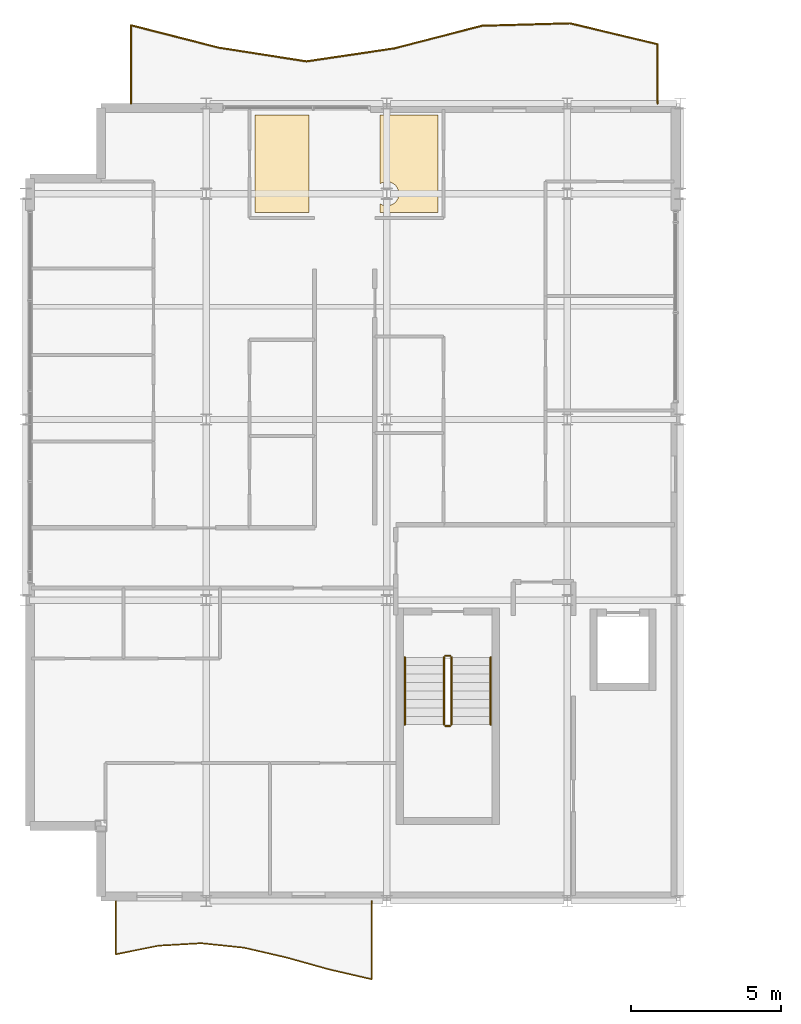
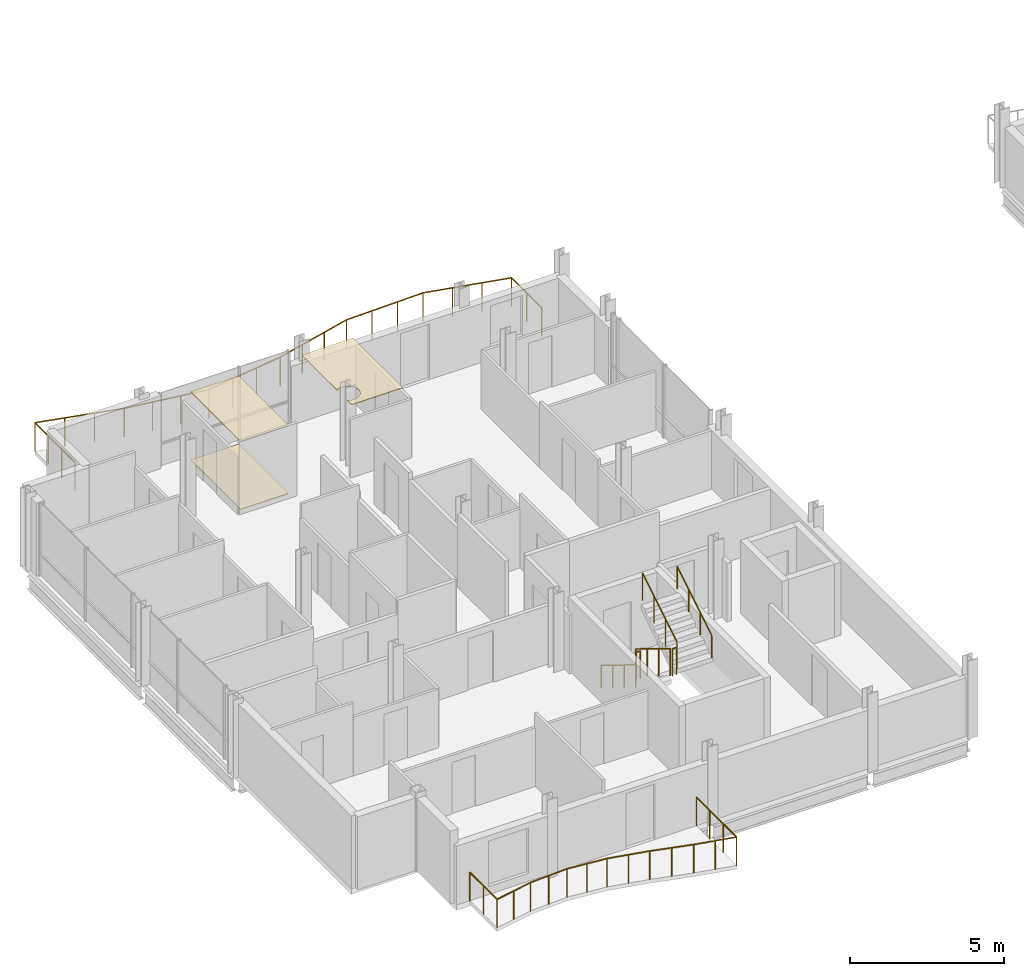
# One storey, part 28 of 29: 8 railings, 3 coverings.
"""IFC4 building model written with IfcOpenShell, lengths in metres."""

from ifc_helpers import new_model, si_unit, direction, frame, origin, origin_2d, place, context, subcontext, project, spatial, polyline, circle, outline, extrude, material, layer, layer_set, type_object, element, save


model = new_model("IFC4")

# Units and contexts
model_context = context("Model", 3, precision=1e-05, world=origin(), true_north=direction((0.0, 1.0)))
body_context = subcontext(model_context, "Body", "Model", "MODEL_VIEW")
ifc_project = project(units=[si_unit("LENGTHUNIT", "METRE"), si_unit("AREAUNIT", "SQUARE_METRE"), si_unit("VOLUMEUNIT", "CUBIC_METRE"), si_unit("PLANEANGLEUNIT", "RADIAN"), si_unit("MASSUNIT", "GRAM", prefix="KILO")], contexts=[model_context])

# Site, building, storey
site_placement = place(None, origin())
site = spatial("IfcSite", under=ifc_project, at=site_placement, CompositionType="ELEMENT")
building_placement = place(site_placement, origin())
building = spatial("IfcBuilding", under=site, at=building_placement, Name="Brevholm Reach", CompositionType="ELEMENT")
storey_placement = place(building_placement, frame((0.0, 0.0, 208.0)))
storey = spatial("IfcBuildingStorey", under=building, at=storey_placement, Name="L63", CompositionType="ELEMENT", Elevation=208.0)

# Coverings
ifc_material_1 = material(Name="Moisture-Resistant Skimmed Gypsum Plasterboard Ceiling", Category="gypsum")
ifc_layer_1 = layer(ifc_material_1, 0.030029296875)
ifc_layer_set_1 = layer_set([ifc_layer_1], Name="Moisture-Resistant Skimmed Gypsum Plasterboard Ceiling")
covering_type_1 = type_object("IfcCoveringType", Name="COV-CLG-GYP", PredefinedType="CEILING", material=ifc_layer_set_1)
covering_1_placement = place(storey_placement, frame((0.0, 0.0, 2.68994140625)))
element("IfcCovering", 1, at=covering_1_placement, inside=storey, type_object=covering_type_1, Name="L63 Suspended Ceiling L63-30", PredefinedType="CEILING", context=body_context, shape_type="SweptSolid", body=[
    extrude(outline(polyline([(7.617919921875, 26.1201171875), (9.419921875, 26.1201171875), (9.419921875, 22.8798828125), (7.617919921875, 22.8798828125), (7.617919921875, 26.1201171875)])), origin(), (0.0, 0.0, 1.0), 0.030029296875),
])
covering_2_placement = place(storey_placement, frame((0.0, 0.0, 2.68994140625)))
element("IfcCovering", 2, at=covering_2_placement, inside=storey, type_object=covering_type_1, Name="L63 Suspended Ceiling L63-38", PredefinedType="CEILING", context=body_context, shape_type="SweptSolid", body=[
    extrude(outline(polyline([(11.780029296875, 23.166015625), (11.811279296875, 23.147216796875), (11.846923828125, 23.13037109375), (11.8837890625, 23.1171875), (11.922119140625, 23.107666015625), (11.960693359375, 23.101806640625), (12.0, 23.10009765625), (12.039306640625, 23.101806640625), (12.077880859375, 23.107666015625), (12.1162109375, 23.1171875), (12.153076171875, 23.13037109375), (12.188720703125, 23.147216796875), (12.22216796875, 23.16748046875), (12.25390625, 23.19091796875), (12.28271484375, 23.21728515625), (12.30908203125, 23.24609375), (12.33251953125, 23.27783203125), (12.352783203125, 23.311279296875), (12.36962890625, 23.346923828125), (12.3828125, 23.3837890625), (12.392333984375, 23.422119140625), (12.398193359375, 23.460693359375), (12.39990234375, 23.5), (12.398193359375, 23.539306640625), (12.392333984375, 23.577880859375), (12.3828125, 23.6162109375), (12.36962890625, 23.653076171875), (12.352783203125, 23.688720703125), (12.33251953125, 23.72216796875), (12.30908203125, 23.75390625), (12.28271484375, 23.78271484375), (12.25390625, 23.80908203125), (12.22216796875, 23.83251953125), (12.188720703125, 23.852783203125), (12.153076171875, 23.86962890625), (12.1162109375, 23.8828125), (12.077880859375, 23.892333984375), (12.039306640625, 23.898193359375), (12.0, 23.89990234375), (11.960693359375, 23.898193359375), (11.922119140625, 23.892333984375), (11.8837890625, 23.8828125), (11.846923828125, 23.86962890625), (11.811279296875, 23.852783203125), (11.780029296875, 23.833984375), (11.780029296875, 26.1201171875), (11.876220703125, 26.1201171875), (11.8837890625, 26.1171875), (11.922119140625, 26.107666015625), (11.960693359375, 26.101806640625), (12.0, 26.10009765625), (12.039306640625, 26.101806640625), (12.077880859375, 26.107666015625), (12.1162109375, 26.1171875), (12.123779296875, 26.1201171875), (13.708984375, 26.1201171875), (13.708984375, 22.8798828125), (11.780029296875, 22.8798828125), (11.780029296875, 23.166015625)])), origin(), (0.0, 0.0, 1.0), 0.030029296875),
])
ifc_material_2 = material(Name="Engineered European Oak Acoustic Plank Flooring", Category="timber")
ifc_layer_2 = layer(ifc_material_2, 0.02197265625)
ifc_layer_set_2 = layer_set([ifc_layer_2], Name="Engineered European Oak Acoustic Plank Flooring")
covering_type_2 = type_object("IfcCoveringType", Name="COV-FLR-OAK", PredefinedType="FLOORING", material=ifc_layer_set_2)
covering_3_placement = place(storey_placement, origin())
element("IfcCovering", 3, at=covering_3_placement, inside=storey, type_object=covering_type_2, Name="L63 Floor Finish L63-30", PredefinedType="FLOORING", context=body_context, shape_type="SweptSolid", body=[
    extrude(outline(polyline([(7.617919921875, 26.1201171875), (9.419921875, 26.1201171875), (9.419921875, 22.8798828125), (7.617919921875, 22.8798828125), (7.617919921875, 26.1201171875)])), origin(), (0.0, 0.0, 1.0), 0.02197265625),
])

# Railings
ifc_material_3 = material(Name="Brushed Stainless Steel EN 1.4401 and Laminated Glass", Category="steel")
railing_type_1 = type_object("IfcRailingType", Name="RAL-BALC-1150", PredefinedType="BALUSTRADE", material=ifc_material_3)
railing_1_placement = place(storey_placement, frame((21.0, 26.5, 0.0)))
element("IfcRailing", 4, at=railing_1_placement, inside=storey, type_object=railing_type_1, Name="L63 Guard Balustrade RAL-L63-BAL-NW", PredefinedType="BALUSTRADE", context=body_context, shape_type="SweptSolid", body=[
    extrude(circle(Radius=0.02392578125, at=origin_2d()), frame((0.0, 0.0, 1.1259765625), z_axis=(0.0, 1.0, 0.0), x_axis=(-1.0, 0.0, 0.0)), (0.0, 0.0, 1.0), 1.969482421875),
    extrude(circle(Radius=0.02392578125, at=origin_2d()), frame((0.0, 1.969482421875, 1.1259765625), z_axis=(-0.972705660557, 0.23204244853, 0.0), x_axis=(-0.23204244853, -0.972705660557, 0.0)), (0.0, 0.0, 1.0), 2.99853515625),
    extrude(circle(Radius=0.02392578125, at=origin_2d()), frame((-2.916748046875, 2.665283203125, 1.1259765625), z_axis=(-0.99961635372, -0.027697389342, 0.0), x_axis=(0.027697389342, -0.99961635372, 0.0)), (0.0, 0.0, 1.0), 2.917724609375),
    extrude(circle(Radius=0.02392578125, at=origin_2d()), frame((-5.833251953125, 2.58447265625, 1.1259765625), z_axis=(-0.968377202247, -0.2494906695, 0.0), x_axis=(0.2494906695, -0.968377202247, 0.0)), (0.0, 0.0, 1.0), 3.011962890625),
    extrude(circle(Radius=0.02392578125, at=origin_2d()), frame((-8.75, 1.8330078125, 1.1259765625), z_axis=(-0.98916653389, -0.146797711943, 0.0), x_axis=(0.146797711943, -0.98916653389, 0.0)), (0.0, 0.0, 1.0), 2.94873046875),
    extrude(circle(Radius=0.02392578125, at=origin_2d()), frame((-11.666748046875, 1.400146484375, 1.1259765625), z_axis=(-0.988044338858, 0.154169985571, 0.0), x_axis=(-0.154169985571, -0.988044338858, 0.0)), (0.0, 0.0, 1.0), 2.951904296875),
    extrude(circle(Radius=0.02392578125, at=origin_2d()), frame((-14.583251953125, 1.855224609375, 1.1259765625), z_axis=(-0.968942936238, 0.247284423921, 0.0), x_axis=(-0.247284423921, -0.968942936238, 0.0)), (0.0, 0.0, 1.0), 3.01025390625),
    extrude(circle(Radius=0.02392578125, at=origin_2d()), frame((-17.5, 2.599609375, 1.1259765625), z_axis=(0.0, -1.0, 0.0), x_axis=(1.0, 0.0, 0.0)), (0.0, 0.0, 1.0), 2.599609375),
    extrude(circle(Radius=0.02099609375, at=origin_2d()), origin(), (0.0, 0.0, 1.0), 1.101806640625),
    extrude(circle(Radius=0.02099609375, at=origin_2d()), frame((0.0, 0.98486328125, 0.0)), (0.0, 0.0, 1.0), 1.101806640625),
    extrude(circle(Radius=0.02099609375, at=origin_2d()), frame((0.0, 1.969482421875, 0.0)), (0.0, 0.0, 1.0), 1.101806640625),
    extrude(circle(Radius=0.02099609375, at=origin_2d()), frame((-0.97216796875, 2.201416015625, 0.0)), (0.0, 0.0, 1.0), 1.101806640625),
    extrude(circle(Radius=0.02099609375, at=origin_2d()), frame((-1.944580078125, 2.433349609375, 0.0)), (0.0, 0.0, 1.0), 1.101806640625),
    extrude(circle(Radius=0.02099609375, at=origin_2d()), frame((-2.916748046875, 2.665283203125, 0.0)), (0.0, 0.0, 1.0), 1.101806640625),
    extrude(circle(Radius=0.02099609375, at=origin_2d()), frame((-3.888916015625, 2.638427734375, 0.0)), (0.0, 0.0, 1.0), 1.101806640625),
    extrude(circle(Radius=0.02099609375, at=origin_2d()), frame((-4.861083984375, 2.611328125, 0.0)), (0.0, 0.0, 1.0), 1.101806640625),
    extrude(circle(Radius=0.02099609375, at=origin_2d()), frame((-5.833251953125, 2.58447265625, 0.0)), (0.0, 0.0, 1.0), 1.101806640625),
    extrude(circle(Radius=0.02099609375, at=origin_2d()), frame((-6.805419921875, 2.333984375, 0.0)), (0.0, 0.0, 1.0), 1.101806640625),
    extrude(circle(Radius=0.02099609375, at=origin_2d()), frame((-7.77783203125, 2.08349609375, 0.0)), (0.0, 0.0, 1.0), 1.101806640625),
    extrude(circle(Radius=0.02099609375, at=origin_2d()), frame((-8.75, 1.8330078125, 0.0)), (0.0, 0.0, 1.0), 1.101806640625),
    extrude(circle(Radius=0.02099609375, at=origin_2d()), frame((-9.72216796875, 1.688720703125, 0.0)), (0.0, 0.0, 1.0), 1.101806640625),
    extrude(circle(Radius=0.02099609375, at=origin_2d()), frame((-10.694580078125, 1.54443359375, 0.0)), (0.0, 0.0, 1.0), 1.101806640625),
    extrude(circle(Radius=0.02099609375, at=origin_2d()), frame((-11.666748046875, 1.400146484375, 0.0)), (0.0, 0.0, 1.0), 1.101806640625),
    extrude(circle(Radius=0.02099609375, at=origin_2d()), frame((-12.638916015625, 1.5517578125, 0.0)), (0.0, 0.0, 1.0), 1.101806640625),
    extrude(circle(Radius=0.02099609375, at=origin_2d()), frame((-13.611083984375, 1.70361328125, 0.0)), (0.0, 0.0, 1.0), 1.101806640625),
    extrude(circle(Radius=0.02099609375, at=origin_2d()), frame((-14.583251953125, 1.855224609375, 0.0)), (0.0, 0.0, 1.0), 1.101806640625),
    extrude(circle(Radius=0.02099609375, at=origin_2d()), frame((-15.555419921875, 2.103271484375, 0.0)), (0.0, 0.0, 1.0), 1.101806640625),
    extrude(circle(Radius=0.02099609375, at=origin_2d()), frame((-16.52783203125, 2.3515625, 0.0)), (0.0, 0.0, 1.0), 1.101806640625),
    extrude(circle(Radius=0.02099609375, at=origin_2d()), frame((-17.5, 2.599609375, 0.0)), (0.0, 0.0, 1.0), 1.101806640625),
    extrude(circle(Radius=0.02099609375, at=origin_2d()), frame((-17.5, 1.733154296875, 0.0)), (0.0, 0.0, 1.0), 1.101806640625),
    extrude(circle(Radius=0.02099609375, at=origin_2d()), frame((-17.5, 0.866455078125, 0.0)), (0.0, 0.0, 1.0), 1.101806640625),
    extrude(circle(Radius=0.02099609375, at=origin_2d()), frame((-17.5, 0.0, 0.0)), (0.0, 0.0, 1.0), 1.101806640625),
])
railing_2_placement = place(storey_placement, frame((3.0, 0.0, 0.0)))
element("IfcRailing", 5, at=railing_2_placement, inside=storey, type_object=railing_type_1, Name="L63 Guard Balustrade RAL-L63-BAL-SW", PredefinedType="BALUSTRADE", context=body_context, shape_type="SweptSolid", body=[
    extrude(circle(Radius=0.02392578125, at=origin_2d()), frame((0.0, 0.0, 1.1259765625), z_axis=(0.0, -1.0, 0.0), x_axis=(1.0, 0.0, 0.0)), (0.0, 0.0, 1.0), 1.7685546875),
    extrude(circle(Radius=0.02392578125, at=origin_2d()), frame((0.0, -1.7685546875, 1.1259765625), z_axis=(0.980502614423, 0.196506038355, 0.0), x_axis=(-0.196506038355, 0.980502614423, 0.0)), (0.0, 0.0, 1.0), 1.44482421875),
    extrude(circle(Radius=0.02392578125, at=origin_2d()), frame((1.416748046875, -1.484619140625, 1.1259765625), z_axis=(0.998327360231, 0.057814200799, 0.0), x_axis=(-0.057814200799, 0.998327360231, 0.0)), (0.0, 0.0, 1.0), 1.4189453125),
    extrude(circle(Radius=0.02392578125, at=origin_2d()), frame((2.833251953125, -1.402587890625, 1.1259765625), z_axis=(0.994609205974, -0.103694394212, 0.0), x_axis=(0.103694394212, 0.994609205974, 0.0)), (0.0, 0.0, 1.0), 1.42431640625),
    extrude(circle(Radius=0.02392578125, at=origin_2d()), frame((4.25, -1.55029296875, 1.1259765625), z_axis=(0.974323236677, -0.225153792932, 0.0), x_axis=(0.225153792932, 0.974323236677, 0.0)), (0.0, 0.0, 1.0), 1.4541015625),
    extrude(circle(Radius=0.02392578125, at=origin_2d()), frame((5.666748046875, -1.877685546875, 1.1259765625), z_axis=(0.963289212232, -0.268465814578, 0.0), x_axis=(0.268465814578, 0.963289212232, 0.0)), (0.0, 0.0, 1.0), 1.470458984375),
    extrude(circle(Radius=0.02392578125, at=origin_2d()), frame((7.083251953125, -2.2724609375, 1.1259765625), z_axis=(0.974360057668, -0.224994395533, 0.0), x_axis=(0.224994395533, 0.974360057668, 0.0)), (0.0, 0.0, 1.0), 1.4541015625),
    extrude(circle(Radius=0.02392578125, at=origin_2d()), frame((8.5, -2.599609375, 1.1259765625), z_axis=(0.0, 1.0, 0.0), x_axis=(-1.0, 0.0, 0.0)), (0.0, 0.0, 1.0), 2.599609375),
    extrude(circle(Radius=0.02099609375, at=origin_2d()), origin(), (0.0, 0.0, 1.0), 1.101806640625),
    extrude(circle(Radius=0.02099609375, at=origin_2d()), frame((0.0, -0.88427734375, 0.0)), (0.0, 0.0, 1.0), 1.101806640625),
    extrude(circle(Radius=0.02099609375, at=origin_2d()), frame((0.0, -1.7685546875, 0.0)), (0.0, 0.0, 1.0), 1.101806640625),
    extrude(circle(Radius=0.02099609375, at=origin_2d()), frame((0.70849609375, -1.62646484375, 0.0)), (0.0, 0.0, 1.0), 1.101806640625),
    extrude(circle(Radius=0.02099609375, at=origin_2d()), frame((1.416748046875, -1.484619140625, 0.0)), (0.0, 0.0, 1.0), 1.101806640625),
    extrude(circle(Radius=0.02099609375, at=origin_2d()), frame((2.125, -1.443603515625, 0.0)), (0.0, 0.0, 1.0), 1.101806640625),
    extrude(circle(Radius=0.02099609375, at=origin_2d()), frame((2.833251953125, -1.402587890625, 0.0)), (0.0, 0.0, 1.0), 1.101806640625),
    extrude(circle(Radius=0.02099609375, at=origin_2d()), frame((3.54150390625, -1.4765625, 0.0)), (0.0, 0.0, 1.0), 1.101806640625),
    extrude(circle(Radius=0.02099609375, at=origin_2d()), frame((4.25, -1.55029296875, 0.0)), (0.0, 0.0, 1.0), 1.101806640625),
    extrude(circle(Radius=0.02099609375, at=origin_2d()), frame((4.95849609375, -1.7138671875, 0.0)), (0.0, 0.0, 1.0), 1.101806640625),
    extrude(circle(Radius=0.02099609375, at=origin_2d()), frame((5.666748046875, -1.877685546875, 0.0)), (0.0, 0.0, 1.0), 1.101806640625),
    extrude(circle(Radius=0.02099609375, at=origin_2d()), frame((6.375, -2.0751953125, 0.0)), (0.0, 0.0, 1.0), 1.101806640625),
    extrude(circle(Radius=0.02099609375, at=origin_2d()), frame((7.083251953125, -2.2724609375, 0.0)), (0.0, 0.0, 1.0), 1.101806640625),
    extrude(circle(Radius=0.02099609375, at=origin_2d()), frame((7.79150390625, -2.43603515625, 0.0)), (0.0, 0.0, 1.0), 1.101806640625),
    extrude(circle(Radius=0.02099609375, at=origin_2d()), frame((8.5, -2.599609375, 0.0)), (0.0, 0.0, 1.0), 1.101806640625),
    extrude(circle(Radius=0.02099609375, at=origin_2d()), frame((8.5, -1.733154296875, 0.0)), (0.0, 0.0, 1.0), 1.101806640625),
    extrude(circle(Radius=0.02099609375, at=origin_2d()), frame((8.5, -0.866455078125, 0.0)), (0.0, 0.0, 1.0), 1.101806640625),
    extrude(circle(Radius=0.02099609375, at=origin_2d()), frame((8.5, 0.0, 0.0)), (0.0, 0.0, 1.0), 1.101806640625),
])
ifc_material_4 = material(Name="Brushed Stainless Steel EN 1.4401 Continuous Handrail", Category="steel")
railing_type_2 = type_object("IfcRailingType", Name="RAL-HND-950", PredefinedType="HANDRAIL", material=ifc_material_4)
railing_3_placement = place(storey_placement, frame((12.60009765625, 8.10009765625, 0.172119140625)))
element("IfcRailing", 6, at=railing_3_placement, inside=storey, type_object=railing_type_2, Name="L63 ST-1 stair handrail 1", PredefinedType="HANDRAIL", context=body_context, shape_type="SweptSolid", body=[
    extrude(circle(Radius=0.02392578125, at=origin_2d()), frame((0.0, 0.0, 0.8857421875), z_axis=(0.0, -0.851747552033, 0.523952390591), x_axis=(1.0, 0.0, 0.0)), (0.0, 0.0, 1.0), 2.6298828125),
    extrude(circle(Radius=0.02099609375, at=origin_2d()), origin(), (0.0, 0.0, 1.0), 0.86181640625),
    extrude(circle(Radius=0.02099609375, at=origin_2d()), frame((0.0, -0.74658203125, 0.459228515625)), (0.0, 0.0, 1.0), 0.86181640625),
    extrude(circle(Radius=0.02099609375, at=origin_2d()), frame((0.0, -1.493408203125, 0.918701171875)), (0.0, 0.0, 1.0), 0.86181640625),
    extrude(circle(Radius=0.02099609375, at=origin_2d()), frame((0.0, -2.239990234375, 1.3779296875)), (0.0, 0.0, 1.0), 0.86181640625),
])
railing_4_placement = place(storey_placement, frame((15.449951171875, 5.860107421875, 1.72216796875)))
element("IfcRailing", 7, at=railing_4_placement, inside=storey, type_object=railing_type_2, Name="L63 ST-1 stair handrail 2", PredefinedType="HANDRAIL", context=body_context, shape_type="SweptSolid", body=[
    extrude(circle(Radius=0.02392578125, at=origin_2d()), frame((0.0, 0.0, 0.8857421875), z_axis=(0.0, 0.851747552033, 0.523952390591), x_axis=(-1.0, 0.0, 0.0)), (0.0, 0.0, 1.0), 2.6298828125),
    extrude(circle(Radius=0.02099609375, at=origin_2d()), origin(), (0.0, 0.0, 1.0), 0.86181640625),
    extrude(circle(Radius=0.02099609375, at=origin_2d()), frame((0.0, 0.74658203125, 0.459228515625)), (0.0, 0.0, 1.0), 0.86181640625),
    extrude(circle(Radius=0.02099609375, at=origin_2d()), frame((0.0, 1.493408203125, 0.918701171875)), (0.0, 0.0, 1.0), 0.86181640625),
    extrude(circle(Radius=0.02099609375, at=origin_2d()), frame((0.0, 2.239990234375, 1.3779296875)), (0.0, 0.0, 1.0), 0.86181640625),
])
ifc_material_5 = material(Name="Painted Tubular Galvanised Steel S275JR Stair Guard", Category="steel")
railing_type_3 = type_object("IfcRailingType", Name="RAL-STG-1120", PredefinedType="BALUSTRADE", material=ifc_material_5)
railing_5_placement = place(storey_placement, frame((13.89990234375, 8.10009765625, 0.172119140625)))
element("IfcRailing", 8, at=railing_5_placement, inside=storey, type_object=railing_type_3, Name="L63 ST-1 stair guard 1", PredefinedType="BALUSTRADE", context=body_context, shape_type="SweptSolid", body=[
    extrude(circle(Radius=0.02392578125, at=origin_2d()), frame((0.0, 0.0, 1.076171875), z_axis=(0.0, -0.851747552033, 0.523952390591), x_axis=(1.0, 0.0, 0.0)), (0.0, 0.0, 1.0), 2.6298828125),
    extrude(circle(Radius=0.02099609375, at=origin_2d()), origin(), (0.0, 0.0, 1.0), 1.052001953125),
    extrude(circle(Radius=0.02099609375, at=origin_2d()), frame((0.0, -0.74658203125, 0.459228515625)), (0.0, 0.0, 1.0), 1.052001953125),
    extrude(circle(Radius=0.02099609375, at=origin_2d()), frame((0.0, -1.493408203125, 0.918701171875)), (0.0, 0.0, 1.0), 1.052001953125),
    extrude(circle(Radius=0.02099609375, at=origin_2d()), frame((0.0, -2.239990234375, 1.3779296875)), (0.0, 0.0, 1.0), 1.052001953125),
])
railing_6_placement = place(storey_placement, frame((13.949951171875, 5.81005859375, 1.550048828125)))
element("IfcRailing", 9, at=railing_6_placement, inside=storey, type_object=railing_type_3, Name="L63 ST-1 stair guard 2", PredefinedType="BALUSTRADE", context=body_context, shape_type="SweptSolid", body=[
    extrude(circle(Radius=0.02392578125, at=origin_2d()), frame((0.0, 0.0, 1.076171875), z_axis=(1.0, 0.0, 0.0), x_axis=(0.0, 1.0, 0.0)), (0.0, 0.0, 1.0), 0.150146484375),
    extrude(circle(Radius=0.02099609375, at=origin_2d()), origin(), (0.0, 0.0, 1.0), 1.052001953125),
    extrude(circle(Radius=0.02099609375, at=origin_2d()), frame((0.150146484375, 0.0, 0.0)), (0.0, 0.0, 1.0), 1.052001953125),
])
railing_7_placement = place(storey_placement, frame((14.14990234375, 5.860107421875, 1.72216796875)))
element("IfcRailing", 10, at=railing_7_placement, inside=storey, type_object=railing_type_3, Name="L63 ST-1 stair guard 3", PredefinedType="BALUSTRADE", context=body_context, shape_type="SweptSolid", body=[
    extrude(circle(Radius=0.02392578125, at=origin_2d()), frame((0.0, 0.0, 1.076171875), z_axis=(0.0, 0.851747552033, 0.523952390591), x_axis=(-1.0, 0.0, 0.0)), (0.0, 0.0, 1.0), 2.6298828125),
    extrude(circle(Radius=0.02099609375, at=origin_2d()), origin(), (0.0, 0.0, 1.0), 1.052001953125),
    extrude(circle(Radius=0.02099609375, at=origin_2d()), frame((0.0, 0.74658203125, 0.459228515625)), (0.0, 0.0, 1.0), 1.052001953125),
    extrude(circle(Radius=0.02099609375, at=origin_2d()), frame((0.0, 1.493408203125, 0.918701171875)), (0.0, 0.0, 1.0), 1.052001953125),
    extrude(circle(Radius=0.02099609375, at=origin_2d()), frame((0.0, 2.239990234375, 1.3779296875)), (0.0, 0.0, 1.0), 1.052001953125),
])
railing_8_placement = place(storey_placement, frame((13.949951171875, 8.14990234375, 0.0)))
element("IfcRailing", 11, at=railing_8_placement, inside=storey, type_object=railing_type_3, Name="L63 ST-1 stair guard 4", PredefinedType="BALUSTRADE", context=body_context, shape_type="SweptSolid", body=[
    extrude(circle(Radius=0.02392578125, at=origin_2d()), frame((0.0, 0.0, 1.076171875), z_axis=(1.0, 0.0, 0.0), x_axis=(0.0, 1.0, 0.0)), (0.0, 0.0, 1.0), 0.150146484375),
    extrude(circle(Radius=0.02099609375, at=origin_2d()), origin(), (0.0, 0.0, 1.0), 1.052001953125),
    extrude(circle(Radius=0.02099609375, at=origin_2d()), frame((0.150146484375, 0.0, 0.0)), (0.0, 0.0, 1.0), 1.052001953125),
])

save(model, "model.ifc")
